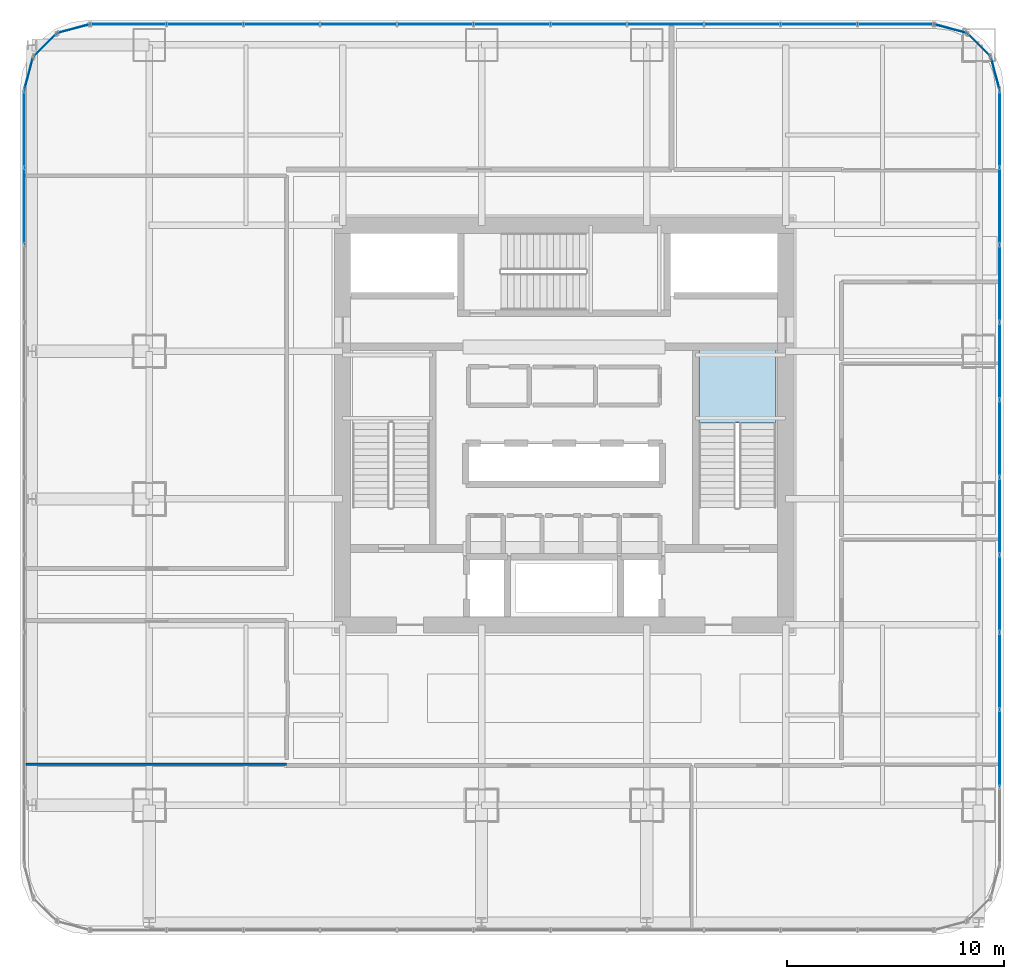
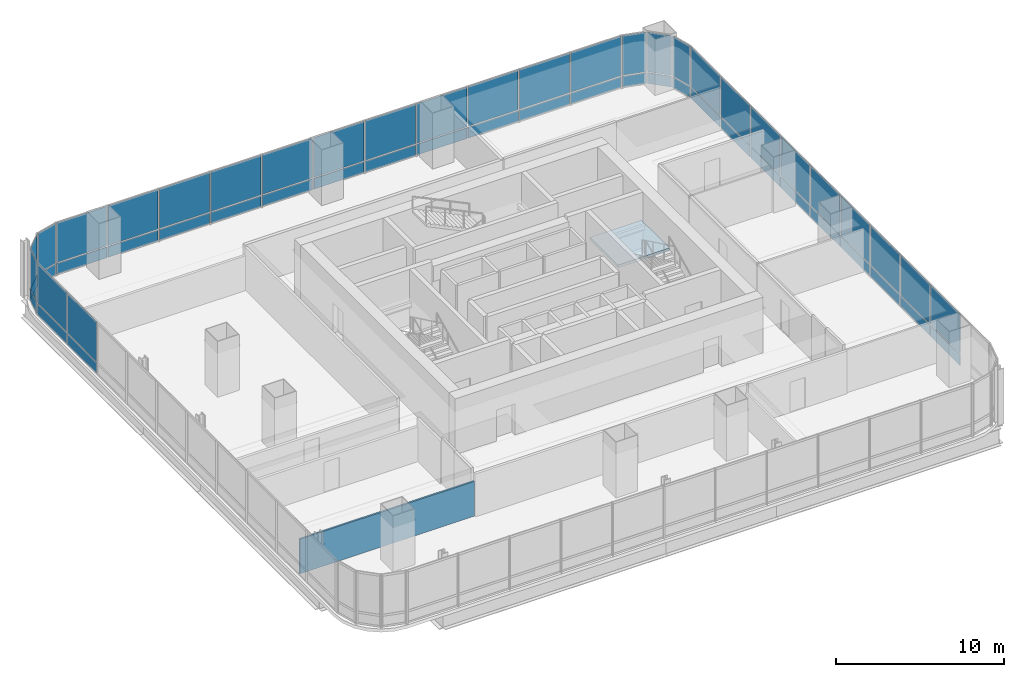
# One storey, part 27 of 35: 56 plates, 1 slab, 1 wall, 10 elements without a shape of their own.
"""IFC4 building model written with IfcOpenShell, lengths in metres."""

from ifc_helpers import new_model, si_unit, direction, frame, frame_2d, origin, origin_2d, place, context, subcontext, project, spatial, polyline, rectangle, outline, extrude, material, layer, layer_set, type_object, element, aggregate, save


model = new_model("IFC4")

# Units and contexts
model_context = context("Model", 3, precision=1e-05, world=origin(), true_north=direction((0.0, 1.0)))
body_context = subcontext(model_context, "Body", "Model", "MODEL_VIEW")
ifc_project = project(units=[si_unit("LENGTHUNIT", "METRE"), si_unit("AREAUNIT", "SQUARE_METRE"), si_unit("VOLUMEUNIT", "CUBIC_METRE"), si_unit("PLANEANGLEUNIT", "RADIAN"), si_unit("MASSUNIT", "GRAM", prefix="KILO")], contexts=[model_context])

# Site, building, storey
site_placement = place(None, origin())
site = spatial("IfcSite", under=ifc_project, at=site_placement, CompositionType="ELEMENT")
building_placement = place(site_placement, origin())
building = spatial("IfcBuilding", under=site, at=building_placement, Name="Punatoya Terracotta Tower", CompositionType="ELEMENT")
storey_placement = place(building_placement, frame((0.0, 0.0, 52.5)))
storey = spatial("IfcBuildingStorey", under=building, at=storey_placement, Name="L11", CompositionType="ELEMENT", Elevation=52.5)

# Curtain wall, plates
ifc_material_1 = material(Name="Aluminium 6063-T6 + Double Low-E Glass", Category="aluminium")
curtain_wall_type = type_object("IfcCurtainWallType", Name="CW-M1", PredefinedType="NOTDEFINED", material=ifc_material_1)
curtain_wall_1_placement = place(storey_placement, origin())
curtain_wall_1 = element("IfcCurtainWall", 1, at=curtain_wall_1_placement, inside=storey, type_object=curtain_wall_type, Name="L11 Curtain Wall CW-L11-E05-1", PredefinedType="NOTDEFINED")
ifc_material_2 = material(Name="Double Low-E Clear Vision Glass", Category="glass")
ifc_layer_1 = layer(ifc_material_2, 0.028076171875)
ifc_layer_set_1 = layer_set([ifc_layer_1], Name="Double Low-E Clear Vision Glass")
plate_type_1 = type_object("IfcPlateType", Name="PLT-GLZ-28", PredefinedType="CURTAIN_PANEL", material=ifc_layer_set_1)
plate_1_placement = place(storey_placement, frame((20.050048828125, -14.8857421875, 0.89013671875), z_axis=(0.0, 0.0, 1.0), x_axis=(0.0, 1.0, 0.0)))
plate_1 = element("IfcPlate", 2, at=plate_1_placement, type_object=plate_type_1, Name="CW-L11-E05-1 Vision Glass Panel 2", PredefinedType="CURTAIN_PANEL", context=body_context, shape_type="SweptSolid", body=[
    extrude(rectangle(XDim=3.482421875, YDim=0.028076171875, at=origin_2d()), origin(), (0.0, 0.0, 1.0), 2.8798828125),
])
plate_2_placement = place(storey_placement, frame((20.050048828125, -11.318359375, 0.89013671875), z_axis=(0.0, 0.0, 1.0), x_axis=(0.0, 1.0, 0.0)))
plate_2 = element("IfcPlate", 3, at=plate_2_placement, type_object=plate_type_1, Name="CW-L11-E05-1 Vision Glass Panel 3", PredefinedType="CURTAIN_PANEL", context=body_context, shape_type="SweptSolid", body=[
    extrude(rectangle(XDim=3.482421875, YDim=0.028076171875, at=origin_2d()), origin(), (0.0, 0.0, 1.0), 2.8798828125),
])
plate_3_placement = place(storey_placement, frame((20.050048828125, -7.751220703125, 0.89013671875), z_axis=(0.0, 0.0, 1.0), x_axis=(0.0, 1.0, 0.0)))
plate_3 = element("IfcPlate", 4, at=plate_3_placement, type_object=plate_type_1, Name="CW-L11-E05-1 Vision Glass Panel 4", PredefinedType="CURTAIN_PANEL", context=body_context, shape_type="SweptSolid", body=[
    extrude(rectangle(XDim=3.482421875, YDim=0.028076171875, at=origin_2d()), origin(), (0.0, 0.0, 1.0), 2.8798828125),
])
plate_4_placement = place(storey_placement, frame((20.050048828125, -4.18359375, 0.89013671875), z_axis=(0.0, 0.0, 1.0), x_axis=(0.0, 1.0, 0.0)))
plate_4 = element("IfcPlate", 5, at=plate_4_placement, type_object=plate_type_1, Name="CW-L11-E05-1 Vision Glass Panel 5", PredefinedType="CURTAIN_PANEL", context=body_context, shape_type="SweptSolid", body=[
    extrude(rectangle(XDim=3.482421875, YDim=0.028076171875, at=origin_2d()), origin(), (0.0, 0.0, 1.0), 2.8798828125),
])
plate_5_placement = place(storey_placement, frame((20.050048828125, -0.6162109375, 0.89013671875), z_axis=(0.0, 0.0, 1.0), x_axis=(0.0, 1.0, 0.0)))
plate_5 = element("IfcPlate", 6, at=plate_5_placement, type_object=plate_type_1, Name="CW-L11-E05-1 Vision Glass Panel 6", PredefinedType="CURTAIN_PANEL", context=body_context, shape_type="SweptSolid", body=[
    extrude(rectangle(XDim=3.482421875, YDim=0.028076171875, at=origin_2d()), origin(), (0.0, 0.0, 1.0), 2.8798828125),
])
plate_6_placement = place(storey_placement, frame((20.050048828125, 2.951171875, 0.89013671875), z_axis=(0.0, 0.0, 1.0), x_axis=(0.0, 1.0, 0.0)))
plate_6 = element("IfcPlate", 7, at=plate_6_placement, type_object=plate_type_1, Name="CW-L11-E05-1 Vision Glass Panel 7", PredefinedType="CURTAIN_PANEL", context=body_context, shape_type="SweptSolid", body=[
    extrude(rectangle(XDim=3.482421875, YDim=0.028076171875, at=origin_2d()), origin(), (0.0, 0.0, 1.0), 2.8798828125),
])
plate_7_placement = place(storey_placement, frame((20.050048828125, 6.518310546875, 0.89013671875), z_axis=(0.0, 0.0, 1.0), x_axis=(0.0, 1.0, 0.0)))
plate_7 = element("IfcPlate", 8, at=plate_7_placement, type_object=plate_type_1, Name="CW-L11-E05-1 Vision Glass Panel 8", PredefinedType="CURTAIN_PANEL", context=body_context, shape_type="SweptSolid", body=[
    extrude(rectangle(XDim=3.482421875, YDim=0.028076171875, at=origin_2d()), origin(), (0.0, 0.0, 1.0), 2.8798828125),
])
plate_8_placement = place(storey_placement, frame((20.050048828125, 10.085693359375, 0.89013671875), z_axis=(0.0, 0.0, 1.0), x_axis=(0.0, 1.0, 0.0)))
plate_8 = element("IfcPlate", 9, at=plate_8_placement, type_object=plate_type_1, Name="CW-L11-E05-1 Vision Glass Panel 9", PredefinedType="CURTAIN_PANEL", context=body_context, shape_type="SweptSolid", body=[
    extrude(rectangle(XDim=3.482421875, YDim=0.028076171875, at=origin_2d()), origin(), (0.0, 0.0, 1.0), 2.8798828125),
])
plate_9_placement = place(storey_placement, frame((20.050048828125, 13.6533203125, 0.89013671875), z_axis=(0.0, 0.0, 1.0), x_axis=(0.0, 1.0, 0.0)))
plate_9 = element("IfcPlate", 10, at=plate_9_placement, type_object=plate_type_1, Name="CW-L11-E05-1 Vision Glass Panel 10", PredefinedType="CURTAIN_PANEL", context=body_context, shape_type="SweptSolid", body=[
    extrude(rectangle(XDim=3.482421875, YDim=0.028076171875, at=origin_2d()), origin(), (0.0, 0.0, 1.0), 2.8798828125),
])

# Curtain wall, plate
curtain_wall_2_placement = place(storey_placement, origin())
curtain_wall_2 = element("IfcCurtainWall", 11, at=curtain_wall_2_placement, inside=storey, type_object=curtain_wall_type, Name="L11 Curtain Wall CW-L11-CRN06", PredefinedType="NOTDEFINED")
plate_10_placement = place(storey_placement, frame((19.848388671875, 16.193115234375, 0.89013671875), z_axis=(0.0, 0.0, 1.0), x_axis=(-0.257741620719, 0.966213877436, 0.0)))
plate_10 = element("IfcPlate", 12, at=plate_10_placement, type_object=plate_type_1, Name="CW-L11-CRN06 Vision Glass Panel 1", PredefinedType="CURTAIN_PANEL", context=body_context, shape_type="SweptSolid", body=[
    extrude(rectangle(XDim=1.47998046875, YDim=0.028076171875, at=origin_2d()), origin(), (0.0, 0.0, 1.0), 2.8798828125),
])

curtain_wall_3_placement = place(storey_placement, origin())
curtain_wall_3 = element("IfcCurtainWall", 13, at=curtain_wall_3_placement, inside=storey, type_object=curtain_wall_type, Name="L11 Curtain Wall CW-L11-CRN07", PredefinedType="NOTDEFINED")
plate_11_placement = place(storey_placement, frame((19.097900390625, 17.497802734375, 0.89013671875), z_axis=(0.0, 0.0, 1.0), x_axis=(-0.707106781187, 0.707106781187, 0.0)))
plate_11 = element("IfcPlate", 14, at=plate_11_placement, type_object=plate_type_1, Name="CW-L11-CRN07 Vision Glass Panel 1", PredefinedType="CURTAIN_PANEL", context=body_context, shape_type="SweptSolid", body=[
    extrude(rectangle(XDim=1.467041015625, YDim=0.028076171875, at=origin_2d()), origin(), (0.0, 0.0, 1.0), 2.8798828125),
])

curtain_wall_4_placement = place(storey_placement, origin())
curtain_wall_4 = element("IfcCurtainWall", 15, at=curtain_wall_4_placement, inside=storey, type_object=curtain_wall_type, Name="L11 Curtain Wall CW-L11-CRN08", PredefinedType="NOTDEFINED")
plate_12_placement = place(storey_placement, frame((17.79296875, 18.248291015625, 0.89013671875), z_axis=(0.0, 0.0, 1.0), x_axis=(-0.966213877436, 0.257741620719, 0.0)))
plate_12 = element("IfcPlate", 16, at=plate_12_placement, type_object=plate_type_1, Name="CW-L11-CRN08 Vision Glass Panel 1", PredefinedType="CURTAIN_PANEL", context=body_context, shape_type="SweptSolid", body=[
    extrude(rectangle(XDim=1.47998046875, YDim=0.028076171875, at=origin_2d()), origin(), (0.0, 0.0, 1.0), 2.8798828125),
])

# Curtain wall, plates
curtain_wall_5_placement = place(storey_placement, origin())
curtain_wall_5 = element("IfcCurtainWall", 17, at=curtain_wall_5_placement, inside=storey, type_object=curtain_wall_type, Name="L11 Curtain Wall CW-L11-N09-1", PredefinedType="NOTDEFINED")
plate_13_placement = place(storey_placement, frame((15.27001953125, 18.449951171875, 0.89013671875), z_axis=(0.0, 0.0, 1.0), x_axis=(-1.0, 0.0, 0.0)))
plate_13 = element("IfcPlate", 18, at=plate_13_placement, type_object=plate_type_1, Name="CW-L11-N09-1 Vision Glass Panel 1", PredefinedType="CURTAIN_PANEL", context=body_context, shape_type="SweptSolid", body=[
    extrude(rectangle(XDim=3.448974609375, YDim=0.028076171875, at=origin_2d()), origin(), (0.0, 0.0, 1.0), 2.8798828125),
])
plate_14_placement = place(storey_placement, frame((11.73583984375, 18.449951171875, 0.89013671875), z_axis=(0.0, 0.0, 1.0), x_axis=(-1.0, 0.0, 0.0)))
plate_14 = element("IfcPlate", 19, at=plate_14_placement, type_object=plate_type_1, Name="CW-L11-N09-1 Vision Glass Panel 2", PredefinedType="CURTAIN_PANEL", context=body_context, shape_type="SweptSolid", body=[
    extrude(rectangle(XDim=3.448974609375, YDim=0.028076171875, at=origin_2d()), origin(), (0.0, 0.0, 1.0), 2.8798828125),
])
plate_15_placement = place(storey_placement, frame((8.201904296875, 18.449951171875, 0.89013671875), z_axis=(0.0, 0.0, 1.0), x_axis=(-1.0, 0.0, 0.0)))
plate_15 = element("IfcPlate", 20, at=plate_15_placement, type_object=plate_type_1, Name="CW-L11-N09-1 Vision Glass Panel 3", PredefinedType="CURTAIN_PANEL", context=body_context, shape_type="SweptSolid", body=[
    extrude(rectangle(XDim=3.448974609375, YDim=0.028076171875, at=origin_2d()), origin(), (0.0, 0.0, 1.0), 2.8798828125),
])
plate_16_placement = place(storey_placement, frame((4.66796875, 18.449951171875, 0.89013671875), z_axis=(0.0, 0.0, 1.0), x_axis=(-1.0, 0.0, 0.0)))
plate_16 = element("IfcPlate", 21, at=plate_16_placement, type_object=plate_type_1, Name="CW-L11-N09-1 Vision Glass Panel 4", PredefinedType="CURTAIN_PANEL", context=body_context, shape_type="SweptSolid", body=[
    extrude(rectangle(XDim=3.448974609375, YDim=0.028076171875, at=origin_2d()), origin(), (0.0, 0.0, 1.0), 2.8798828125),
])
plate_17_placement = place(storey_placement, frame((1.134033203125, 18.449951171875, 0.89013671875), z_axis=(0.0, 0.0, 1.0), x_axis=(-1.0, 0.0, 0.0)))
plate_17 = element("IfcPlate", 22, at=plate_17_placement, type_object=plate_type_1, Name="CW-L11-N09-1 Vision Glass Panel 5", PredefinedType="CURTAIN_PANEL", context=body_context, shape_type="SweptSolid", body=[
    extrude(rectangle(XDim=3.448974609375, YDim=0.028076171875, at=origin_2d()), origin(), (0.0, 0.0, 1.0), 2.8798828125),
])
plate_18_placement = place(storey_placement, frame((-2.39990234375, 18.449951171875, 0.89013671875), z_axis=(0.0, 0.0, 1.0), x_axis=(-1.0, 0.0, 0.0)))
plate_18 = element("IfcPlate", 23, at=plate_18_placement, type_object=plate_type_1, Name="CW-L11-N09-1 Vision Glass Panel 6", PredefinedType="CURTAIN_PANEL", context=body_context, shape_type="SweptSolid", body=[
    extrude(rectangle(XDim=3.448974609375, YDim=0.028076171875, at=origin_2d()), origin(), (0.0, 0.0, 1.0), 2.8798828125),
])
plate_19_placement = place(storey_placement, frame((-5.93408203125, 18.449951171875, 0.89013671875), z_axis=(0.0, 0.0, 1.0), x_axis=(-1.0, 0.0, 0.0)))
plate_19 = element("IfcPlate", 24, at=plate_19_placement, type_object=plate_type_1, Name="CW-L11-N09-1 Vision Glass Panel 7", PredefinedType="CURTAIN_PANEL", context=body_context, shape_type="SweptSolid", body=[
    extrude(rectangle(XDim=3.448974609375, YDim=0.028076171875, at=origin_2d()), origin(), (0.0, 0.0, 1.0), 2.8798828125),
])
plate_20_placement = place(storey_placement, frame((-9.468017578125, 18.449951171875, 0.89013671875), z_axis=(0.0, 0.0, 1.0), x_axis=(-1.0, 0.0, 0.0)))
plate_20 = element("IfcPlate", 25, at=plate_20_placement, type_object=plate_type_1, Name="CW-L11-N09-1 Vision Glass Panel 8", PredefinedType="CURTAIN_PANEL", context=body_context, shape_type="SweptSolid", body=[
    extrude(rectangle(XDim=3.448974609375, YDim=0.028076171875, at=origin_2d()), origin(), (0.0, 0.0, 1.0), 2.8798828125),
])
plate_21_placement = place(storey_placement, frame((-13.001953125, 18.449951171875, 0.89013671875), z_axis=(0.0, 0.0, 1.0), x_axis=(-1.0, 0.0, 0.0)))
plate_21 = element("IfcPlate", 26, at=plate_21_placement, type_object=plate_type_1, Name="CW-L11-N09-1 Vision Glass Panel 9", PredefinedType="CURTAIN_PANEL", context=body_context, shape_type="SweptSolid", body=[
    extrude(rectangle(XDim=3.448974609375, YDim=0.028076171875, at=origin_2d()), origin(), (0.0, 0.0, 1.0), 2.8798828125),
])
plate_22_placement = place(storey_placement, frame((-16.535888671875, 18.449951171875, 0.89013671875), z_axis=(0.0, 0.0, 1.0), x_axis=(-1.0, 0.0, 0.0)))
plate_22 = element("IfcPlate", 27, at=plate_22_placement, type_object=plate_type_1, Name="CW-L11-N09-1 Vision Glass Panel 10", PredefinedType="CURTAIN_PANEL", context=body_context, shape_type="SweptSolid", body=[
    extrude(rectangle(XDim=3.448974609375, YDim=0.028076171875, at=origin_2d()), origin(), (0.0, 0.0, 1.0), 2.8798828125),
])
plate_23_placement = place(storey_placement, frame((-20.06982421875, 18.449951171875, 0.89013671875), z_axis=(0.0, 0.0, 1.0), x_axis=(-1.0, 0.0, 0.0)))
plate_23 = element("IfcPlate", 28, at=plate_23_placement, type_object=plate_type_1, Name="CW-L11-N09-1 Vision Glass Panel 11", PredefinedType="CURTAIN_PANEL", context=body_context, shape_type="SweptSolid", body=[
    extrude(rectangle(XDim=3.448974609375, YDim=0.028076171875, at=origin_2d()), origin(), (0.0, 0.0, 1.0), 2.8798828125),
])

# Curtain wall, plate
curtain_wall_6_placement = place(storey_placement, origin())
curtain_wall_6 = element("IfcCurtainWall", 29, at=curtain_wall_6_placement, inside=storey, type_object=curtain_wall_type, Name="L11 Curtain Wall CW-L11-CRN10", PredefinedType="NOTDEFINED")
plate_24_placement = place(storey_placement, frame((-22.593017578125, 18.248291015625, 0.89013671875), z_axis=(0.0, 0.0, 1.0), x_axis=(-0.966213877436, -0.257741620719, 0.0)))
plate_24 = element("IfcPlate", 30, at=plate_24_placement, type_object=plate_type_1, Name="CW-L11-CRN10 Vision Glass Panel 1", PredefinedType="CURTAIN_PANEL", context=body_context, shape_type="SweptSolid", body=[
    extrude(rectangle(XDim=1.47998046875, YDim=0.028076171875, at=origin_2d()), origin(), (0.0, 0.0, 1.0), 2.8798828125),
])

curtain_wall_7_placement = place(storey_placement, origin())
curtain_wall_7 = element("IfcCurtainWall", 31, at=curtain_wall_7_placement, inside=storey, type_object=curtain_wall_type, Name="L11 Curtain Wall CW-L11-CRN11", PredefinedType="NOTDEFINED")
plate_25_placement = place(storey_placement, frame((-23.89794921875, 17.497802734375, 0.89013671875), z_axis=(0.0, 0.0, 1.0), x_axis=(-0.707106781187, -0.707106781187, 0.0)))
plate_25 = element("IfcPlate", 32, at=plate_25_placement, type_object=plate_type_1, Name="CW-L11-CRN11 Vision Glass Panel 1", PredefinedType="CURTAIN_PANEL", context=body_context, shape_type="SweptSolid", body=[
    extrude(rectangle(XDim=1.467041015625, YDim=0.028076171875, at=origin_2d()), origin(), (0.0, 0.0, 1.0), 2.8798828125),
])

curtain_wall_8_placement = place(storey_placement, origin())
curtain_wall_8 = element("IfcCurtainWall", 33, at=curtain_wall_8_placement, inside=storey, type_object=curtain_wall_type, Name="L11 Curtain Wall CW-L11-CRN12", PredefinedType="NOTDEFINED")
plate_26_placement = place(storey_placement, frame((-24.648193359375, 16.193115234375, 0.89013671875), z_axis=(0.0, 0.0, 1.0), x_axis=(-0.257741620719, -0.966213877436, 0.0)))
plate_26 = element("IfcPlate", 34, at=plate_26_placement, type_object=plate_type_1, Name="CW-L11-CRN12 Vision Glass Panel 1", PredefinedType="CURTAIN_PANEL", context=body_context, shape_type="SweptSolid", body=[
    extrude(rectangle(XDim=1.47998046875, YDim=0.028076171875, at=origin_2d()), origin(), (0.0, 0.0, 1.0), 2.8798828125),
])

# Curtain wall, plates
curtain_wall_9_placement = place(storey_placement, origin())
curtain_wall_9 = element("IfcCurtainWall", 35, at=curtain_wall_9_placement, inside=storey, type_object=curtain_wall_type, Name="L11 Curtain Wall CW-L11-W13-1", PredefinedType="NOTDEFINED")
plate_27_placement = place(storey_placement, frame((-24.85009765625, 13.6533203125, 0.89013671875), z_axis=(0.0, 0.0, 1.0), x_axis=(0.0, -1.0, 0.0)))
plate_27 = element("IfcPlate", 36, at=plate_27_placement, type_object=plate_type_1, Name="CW-L11-W13-1 Vision Glass Panel 1", PredefinedType="CURTAIN_PANEL", context=body_context, shape_type="SweptSolid", body=[
    extrude(rectangle(XDim=3.482421875, YDim=0.028076171875, at=origin_2d()), origin(), (0.0, 0.0, 1.0), 2.8798828125),
])
plate_28_placement = place(storey_placement, frame((-24.85009765625, 10.085693359375, 0.89013671875), z_axis=(0.0, 0.0, 1.0), x_axis=(0.0, -1.0, 0.0)))
plate_28 = element("IfcPlate", 37, at=plate_28_placement, type_object=plate_type_1, Name="CW-L11-W13-1 Vision Glass Panel 2", PredefinedType="CURTAIN_PANEL", context=body_context, shape_type="SweptSolid", body=[
    extrude(rectangle(XDim=3.482421875, YDim=0.028076171875, at=origin_2d()), origin(), (0.0, 0.0, 1.0), 2.8798828125),
])

# Plate
ifc_material_3 = material(Name="Insulated Terracotta-Backed Spandrel Panel", Category="masonry")
ifc_layer_2 = layer(ifc_material_3, 0.044921875)
ifc_layer_set_2 = layer_set([ifc_layer_2], Name="Insulated Terracotta-Backed Spandrel Panel")
plate_type_2 = type_object("IfcPlateType", Name="PLT-SPN-45", PredefinedType="CURTAIN_PANEL", material=ifc_layer_set_2)
plate_29_placement = place(storey_placement, frame((20.050048828125, -14.8857421875, 0.0400390625), z_axis=(0.0, 0.0, 1.0), x_axis=(0.0, 1.0, 0.0)))
plate_29 = element("IfcPlate", 38, at=plate_29_placement, type_object=plate_type_2, Name="CW-L11-E05-1 Terracotta Spandrel Panel 2", PredefinedType="CURTAIN_PANEL", context=body_context, shape_type="SweptSolid", body=[
    extrude(rectangle(XDim=3.482421875, YDim=0.044921875, at=origin_2d()), origin(), (0.0, 0.0, 1.0), 0.77490234375),
])

plate_30_placement = place(storey_placement, frame((20.050048828125, -11.318359375, 0.0400390625), z_axis=(0.0, 0.0, 1.0), x_axis=(0.0, 1.0, 0.0)))
plate_30 = element("IfcPlate", 39, at=plate_30_placement, type_object=plate_type_2, Name="CW-L11-E05-1 Terracotta Spandrel Panel 3", PredefinedType="CURTAIN_PANEL", context=body_context, shape_type="SweptSolid", body=[
    extrude(rectangle(XDim=3.482421875, YDim=0.044921875, at=origin_2d()), origin(), (0.0, 0.0, 1.0), 0.77490234375),
])

plate_31_placement = place(storey_placement, frame((20.050048828125, -7.751220703125, 0.0400390625), z_axis=(0.0, 0.0, 1.0), x_axis=(0.0, 1.0, 0.0)))
plate_31 = element("IfcPlate", 40, at=plate_31_placement, type_object=plate_type_2, Name="CW-L11-E05-1 Terracotta Spandrel Panel 4", PredefinedType="CURTAIN_PANEL", context=body_context, shape_type="SweptSolid", body=[
    extrude(rectangle(XDim=3.482421875, YDim=0.044921875, at=origin_2d()), origin(), (0.0, 0.0, 1.0), 0.77490234375),
])

plate_32_placement = place(storey_placement, frame((20.050048828125, -4.18359375, 0.0400390625), z_axis=(0.0, 0.0, 1.0), x_axis=(0.0, 1.0, 0.0)))
plate_32 = element("IfcPlate", 41, at=plate_32_placement, type_object=plate_type_2, Name="CW-L11-E05-1 Terracotta Spandrel Panel 5", PredefinedType="CURTAIN_PANEL", context=body_context, shape_type="SweptSolid", body=[
    extrude(rectangle(XDim=3.482421875, YDim=0.044921875, at=origin_2d()), origin(), (0.0, 0.0, 1.0), 0.77490234375),
])

plate_33_placement = place(storey_placement, frame((20.050048828125, -0.6162109375, 0.0400390625), z_axis=(0.0, 0.0, 1.0), x_axis=(0.0, 1.0, 0.0)))
plate_33 = element("IfcPlate", 42, at=plate_33_placement, type_object=plate_type_2, Name="CW-L11-E05-1 Terracotta Spandrel Panel 6", PredefinedType="CURTAIN_PANEL", context=body_context, shape_type="SweptSolid", body=[
    extrude(rectangle(XDim=3.482421875, YDim=0.044921875, at=origin_2d()), origin(), (0.0, 0.0, 1.0), 0.77490234375),
])

plate_34_placement = place(storey_placement, frame((20.050048828125, 2.951171875, 0.0400390625), z_axis=(0.0, 0.0, 1.0), x_axis=(0.0, 1.0, 0.0)))
plate_34 = element("IfcPlate", 43, at=plate_34_placement, type_object=plate_type_2, Name="CW-L11-E05-1 Terracotta Spandrel Panel 7", PredefinedType="CURTAIN_PANEL", context=body_context, shape_type="SweptSolid", body=[
    extrude(rectangle(XDim=3.482421875, YDim=0.044921875, at=origin_2d()), origin(), (0.0, 0.0, 1.0), 0.77490234375),
])

plate_35_placement = place(storey_placement, frame((20.050048828125, 6.518310546875, 0.0400390625), z_axis=(0.0, 0.0, 1.0), x_axis=(0.0, 1.0, 0.0)))
plate_35 = element("IfcPlate", 44, at=plate_35_placement, type_object=plate_type_2, Name="CW-L11-E05-1 Terracotta Spandrel Panel 8", PredefinedType="CURTAIN_PANEL", context=body_context, shape_type="SweptSolid", body=[
    extrude(rectangle(XDim=3.482421875, YDim=0.044921875, at=origin_2d()), origin(), (0.0, 0.0, 1.0), 0.77490234375),
])

plate_36_placement = place(storey_placement, frame((20.050048828125, 10.085693359375, 0.0400390625), z_axis=(0.0, 0.0, 1.0), x_axis=(0.0, 1.0, 0.0)))
plate_36 = element("IfcPlate", 45, at=plate_36_placement, type_object=plate_type_2, Name="CW-L11-E05-1 Terracotta Spandrel Panel 9", PredefinedType="CURTAIN_PANEL", context=body_context, shape_type="SweptSolid", body=[
    extrude(rectangle(XDim=3.482421875, YDim=0.044921875, at=origin_2d()), origin(), (0.0, 0.0, 1.0), 0.77490234375),
])

plate_37_placement = place(storey_placement, frame((20.050048828125, 13.6533203125, 0.0400390625), z_axis=(0.0, 0.0, 1.0), x_axis=(0.0, 1.0, 0.0)))
plate_37 = element("IfcPlate", 46, at=plate_37_placement, type_object=plate_type_2, Name="CW-L11-E05-1 Terracotta Spandrel Panel 10", PredefinedType="CURTAIN_PANEL", context=body_context, shape_type="SweptSolid", body=[
    extrude(rectangle(XDim=3.482421875, YDim=0.044921875, at=origin_2d()), origin(), (0.0, 0.0, 1.0), 0.77490234375),
])

aggregate(curtain_wall_1, [plate_29, plate_1, plate_30, plate_2, plate_31, plate_3, plate_32, plate_4, plate_33, plate_5, plate_34, plate_6, plate_35, plate_7, plate_36, plate_8, plate_37, plate_9])

plate_38_placement = place(storey_placement, frame((19.848388671875, 16.193115234375, 0.0400390625), z_axis=(0.0, 0.0, 1.0), x_axis=(-0.257741620719, 0.966213877436, 0.0)))
plate_38 = element("IfcPlate", 47, at=plate_38_placement, type_object=plate_type_2, Name="CW-L11-CRN06 Terracotta Spandrel Panel 1", PredefinedType="CURTAIN_PANEL", context=body_context, shape_type="SweptSolid", body=[
    extrude(rectangle(XDim=1.47998046875, YDim=0.044921875, at=origin_2d()), origin(), (0.0, 0.0, 1.0), 0.77490234375),
])

aggregate(curtain_wall_2, [plate_38, plate_10])

plate_39_placement = place(storey_placement, frame((19.097900390625, 17.497802734375, 0.0400390625), z_axis=(0.0, 0.0, 1.0), x_axis=(-0.707106781187, 0.707106781187, 0.0)))
plate_39 = element("IfcPlate", 48, at=plate_39_placement, type_object=plate_type_2, Name="CW-L11-CRN07 Terracotta Spandrel Panel 1", PredefinedType="CURTAIN_PANEL", context=body_context, shape_type="SweptSolid", body=[
    extrude(rectangle(XDim=1.467041015625, YDim=0.044921875, at=origin_2d()), origin(), (0.0, 0.0, 1.0), 0.77490234375),
])

aggregate(curtain_wall_3, [plate_39, plate_11])

plate_40_placement = place(storey_placement, frame((17.79296875, 18.248291015625, 0.0400390625), z_axis=(0.0, 0.0, 1.0), x_axis=(-0.966213877436, 0.257741620719, 0.0)))
plate_40 = element("IfcPlate", 49, at=plate_40_placement, type_object=plate_type_2, Name="CW-L11-CRN08 Terracotta Spandrel Panel 1", PredefinedType="CURTAIN_PANEL", context=body_context, shape_type="SweptSolid", body=[
    extrude(rectangle(XDim=1.47998046875, YDim=0.044921875, at=origin_2d()), origin(), (0.0, 0.0, 1.0), 0.77490234375),
])

aggregate(curtain_wall_4, [plate_40, plate_12])

plate_41_placement = place(storey_placement, frame((15.27001953125, 18.449951171875, 0.0400390625), z_axis=(0.0, 0.0, 1.0), x_axis=(-1.0, 0.0, 0.0)))
plate_41 = element("IfcPlate", 50, at=plate_41_placement, type_object=plate_type_2, Name="CW-L11-N09-1 Terracotta Spandrel Panel 1", PredefinedType="CURTAIN_PANEL", context=body_context, shape_type="SweptSolid", body=[
    extrude(rectangle(XDim=3.448974609375, YDim=0.044921875, at=origin_2d()), origin(), (0.0, 0.0, 1.0), 0.77490234375),
])

plate_42_placement = place(storey_placement, frame((11.73583984375, 18.449951171875, 0.0400390625), z_axis=(0.0, 0.0, 1.0), x_axis=(-1.0, 0.0, 0.0)))
plate_42 = element("IfcPlate", 51, at=plate_42_placement, type_object=plate_type_2, Name="CW-L11-N09-1 Terracotta Spandrel Panel 2", PredefinedType="CURTAIN_PANEL", context=body_context, shape_type="SweptSolid", body=[
    extrude(rectangle(XDim=3.448974609375, YDim=0.044921875, at=origin_2d()), origin(), (0.0, 0.0, 1.0), 0.77490234375),
])

plate_43_placement = place(storey_placement, frame((8.201904296875, 18.449951171875, 0.0400390625), z_axis=(0.0, 0.0, 1.0), x_axis=(-1.0, 0.0, 0.0)))
plate_43 = element("IfcPlate", 52, at=plate_43_placement, type_object=plate_type_2, Name="CW-L11-N09-1 Terracotta Spandrel Panel 3", PredefinedType="CURTAIN_PANEL", context=body_context, shape_type="SweptSolid", body=[
    extrude(rectangle(XDim=3.448974609375, YDim=0.044921875, at=origin_2d()), origin(), (0.0, 0.0, 1.0), 0.77490234375),
])

plate_44_placement = place(storey_placement, frame((4.66796875, 18.449951171875, 0.0400390625), z_axis=(0.0, 0.0, 1.0), x_axis=(-1.0, 0.0, 0.0)))
plate_44 = element("IfcPlate", 53, at=plate_44_placement, type_object=plate_type_2, Name="CW-L11-N09-1 Terracotta Spandrel Panel 4", PredefinedType="CURTAIN_PANEL", context=body_context, shape_type="SweptSolid", body=[
    extrude(rectangle(XDim=3.448974609375, YDim=0.044921875, at=origin_2d()), origin(), (0.0, 0.0, 1.0), 0.77490234375),
])

plate_45_placement = place(storey_placement, frame((1.134033203125, 18.449951171875, 0.0400390625), z_axis=(0.0, 0.0, 1.0), x_axis=(-1.0, 0.0, 0.0)))
plate_45 = element("IfcPlate", 54, at=plate_45_placement, type_object=plate_type_2, Name="CW-L11-N09-1 Terracotta Spandrel Panel 5", PredefinedType="CURTAIN_PANEL", context=body_context, shape_type="SweptSolid", body=[
    extrude(rectangle(XDim=3.448974609375, YDim=0.044921875, at=origin_2d()), origin(), (0.0, 0.0, 1.0), 0.77490234375),
])

plate_46_placement = place(storey_placement, frame((-2.39990234375, 18.449951171875, 0.0400390625), z_axis=(0.0, 0.0, 1.0), x_axis=(-1.0, 0.0, 0.0)))
plate_46 = element("IfcPlate", 55, at=plate_46_placement, type_object=plate_type_2, Name="CW-L11-N09-1 Terracotta Spandrel Panel 6", PredefinedType="CURTAIN_PANEL", context=body_context, shape_type="SweptSolid", body=[
    extrude(rectangle(XDim=3.448974609375, YDim=0.044921875, at=origin_2d()), origin(), (0.0, 0.0, 1.0), 0.77490234375),
])

plate_47_placement = place(storey_placement, frame((-5.93408203125, 18.449951171875, 0.0400390625), z_axis=(0.0, 0.0, 1.0), x_axis=(-1.0, 0.0, 0.0)))
plate_47 = element("IfcPlate", 56, at=plate_47_placement, type_object=plate_type_2, Name="CW-L11-N09-1 Terracotta Spandrel Panel 7", PredefinedType="CURTAIN_PANEL", context=body_context, shape_type="SweptSolid", body=[
    extrude(rectangle(XDim=3.448974609375, YDim=0.044921875, at=origin_2d()), origin(), (0.0, 0.0, 1.0), 0.77490234375),
])

plate_48_placement = place(storey_placement, frame((-9.468017578125, 18.449951171875, 0.0400390625), z_axis=(0.0, 0.0, 1.0), x_axis=(-1.0, 0.0, 0.0)))
plate_48 = element("IfcPlate", 57, at=plate_48_placement, type_object=plate_type_2, Name="CW-L11-N09-1 Terracotta Spandrel Panel 8", PredefinedType="CURTAIN_PANEL", context=body_context, shape_type="SweptSolid", body=[
    extrude(rectangle(XDim=3.448974609375, YDim=0.044921875, at=origin_2d()), origin(), (0.0, 0.0, 1.0), 0.77490234375),
])

plate_49_placement = place(storey_placement, frame((-13.001953125, 18.449951171875, 0.0400390625), z_axis=(0.0, 0.0, 1.0), x_axis=(-1.0, 0.0, 0.0)))
plate_49 = element("IfcPlate", 58, at=plate_49_placement, type_object=plate_type_2, Name="CW-L11-N09-1 Terracotta Spandrel Panel 9", PredefinedType="CURTAIN_PANEL", context=body_context, shape_type="SweptSolid", body=[
    extrude(rectangle(XDim=3.448974609375, YDim=0.044921875, at=origin_2d()), origin(), (0.0, 0.0, 1.0), 0.77490234375),
])

plate_50_placement = place(storey_placement, frame((-16.535888671875, 18.449951171875, 0.0400390625), z_axis=(0.0, 0.0, 1.0), x_axis=(-1.0, 0.0, 0.0)))
plate_50 = element("IfcPlate", 59, at=plate_50_placement, type_object=plate_type_2, Name="CW-L11-N09-1 Terracotta Spandrel Panel 10", PredefinedType="CURTAIN_PANEL", context=body_context, shape_type="SweptSolid", body=[
    extrude(rectangle(XDim=3.448974609375, YDim=0.044921875, at=origin_2d()), origin(), (0.0, 0.0, 1.0), 0.77490234375),
])

plate_51_placement = place(storey_placement, frame((-20.06982421875, 18.449951171875, 0.0400390625), z_axis=(0.0, 0.0, 1.0), x_axis=(-1.0, 0.0, 0.0)))
plate_51 = element("IfcPlate", 60, at=plate_51_placement, type_object=plate_type_2, Name="CW-L11-N09-1 Terracotta Spandrel Panel 11", PredefinedType="CURTAIN_PANEL", context=body_context, shape_type="SweptSolid", body=[
    extrude(rectangle(XDim=3.448974609375, YDim=0.044921875, at=origin_2d()), origin(), (0.0, 0.0, 1.0), 0.77490234375),
])

aggregate(curtain_wall_5, [plate_41, plate_13, plate_42, plate_14, plate_43, plate_15, plate_44, plate_16, plate_45, plate_17, plate_46, plate_18, plate_47, plate_19, plate_48, plate_20, plate_49, plate_21, plate_50, plate_22, plate_51, plate_23])

plate_52_placement = place(storey_placement, frame((-22.593017578125, 18.248291015625, 0.0400390625), z_axis=(0.0, 0.0, 1.0), x_axis=(-0.966213877436, -0.257741620719, 0.0)))
plate_52 = element("IfcPlate", 61, at=plate_52_placement, type_object=plate_type_2, Name="CW-L11-CRN10 Terracotta Spandrel Panel 1", PredefinedType="CURTAIN_PANEL", context=body_context, shape_type="SweptSolid", body=[
    extrude(rectangle(XDim=1.47998046875, YDim=0.044921875, at=origin_2d()), origin(), (0.0, 0.0, 1.0), 0.77490234375),
])

aggregate(curtain_wall_6, [plate_52, plate_24])

plate_53_placement = place(storey_placement, frame((-23.89794921875, 17.497802734375, 0.0400390625), z_axis=(0.0, 0.0, 1.0), x_axis=(-0.707106781187, -0.707106781187, 0.0)))
plate_53 = element("IfcPlate", 62, at=plate_53_placement, type_object=plate_type_2, Name="CW-L11-CRN11 Terracotta Spandrel Panel 1", PredefinedType="CURTAIN_PANEL", context=body_context, shape_type="SweptSolid", body=[
    extrude(rectangle(XDim=1.467041015625, YDim=0.044921875, at=origin_2d()), origin(), (0.0, 0.0, 1.0), 0.77490234375),
])

aggregate(curtain_wall_7, [plate_53, plate_25])

plate_54_placement = place(storey_placement, frame((-24.648193359375, 16.193115234375, 0.0400390625), z_axis=(0.0, 0.0, 1.0), x_axis=(-0.257741620719, -0.966213877436, 0.0)))
plate_54 = element("IfcPlate", 63, at=plate_54_placement, type_object=plate_type_2, Name="CW-L11-CRN12 Terracotta Spandrel Panel 1", PredefinedType="CURTAIN_PANEL", context=body_context, shape_type="SweptSolid", body=[
    extrude(rectangle(XDim=1.47998046875, YDim=0.044921875, at=origin_2d()), origin(), (0.0, 0.0, 1.0), 0.77490234375),
])

aggregate(curtain_wall_8, [plate_54, plate_26])

plate_55_placement = place(storey_placement, frame((-24.85009765625, 13.6533203125, 0.0400390625), z_axis=(0.0, 0.0, 1.0), x_axis=(0.0, -1.0, 0.0)))
plate_55 = element("IfcPlate", 64, at=plate_55_placement, type_object=plate_type_2, Name="CW-L11-W13-1 Terracotta Spandrel Panel 1", PredefinedType="CURTAIN_PANEL", context=body_context, shape_type="SweptSolid", body=[
    extrude(rectangle(XDim=3.482421875, YDim=0.044921875, at=origin_2d()), origin(), (0.0, 0.0, 1.0), 0.77490234375),
])

plate_56_placement = place(storey_placement, frame((-24.85009765625, 10.085693359375, 0.0400390625), z_axis=(0.0, 0.0, 1.0), x_axis=(0.0, -1.0, 0.0)))
plate_56 = element("IfcPlate", 65, at=plate_56_placement, type_object=plate_type_2, Name="CW-L11-W13-1 Terracotta Spandrel Panel 2", PredefinedType="CURTAIN_PANEL", context=body_context, shape_type="SweptSolid", body=[
    extrude(rectangle(XDim=3.482421875, YDim=0.044921875, at=origin_2d()), origin(), (0.0, 0.0, 1.0), 0.77490234375),
])

aggregate(curtain_wall_9, [plate_55, plate_27, plate_56, plate_28])

# Stair, slab
ifc_material_4 = material(Name="Concrete C40/50", Category="concrete")
stair_type = type_object("IfcStairType", Name="STR-LOB-1650", PredefinedType="HALF_TURN_STAIR", material=ifc_material_4)
stair_placement = place(storey_placement, origin())
stair = element("IfcStair", 66, at=stair_placement, inside=storey, type_object=stair_type, Name="L11 Protected Core Exit Stair ST-2", PredefinedType="HALF_TURN_STAIR")
ifc_layer_3 = layer(ifc_material_4, 0.179931640625)
ifc_layer_set_3 = layer_set([ifc_layer_3], Name="Concrete C40/50")
slab_type = type_object("IfcSlabType", Name="SLB-LND-180", PredefinedType="LANDING", material=ifc_layer_set_3)
slab_placement = place(storey_placement, frame((0.0, 0.0, 1.824951171875)))
slab = element("IfcSlab", 67, at=slab_placement, type_object=slab_type, Name="ST-2 landing 1", PredefinedType="LANDING", context=body_context, shape_type="SweptSolid", body=[
    extrude(outline(polyline([(9.75, 0.10009765625), (9.75, 3.449951171875), (6.199951171875, 3.449951171875), (6.199951171875, 0.10009765625), (9.75, 0.10009765625)])), origin(), (0.0, 0.0, 1.0), 0.199951171875),
])
aggregate(stair, [slab])

# Wall
ifc_material_5 = material(Name="Gypsum Partition + Steel Stud", Category="steel")
ifc_layer_4 = layer(ifc_material_5, 0.1201171875)
ifc_layer_set_4 = layer_set([ifc_layer_4], Name="Gypsum Partition + Steel Stud")
wall_type = type_object("IfcWallType", Name="WL-OFF-120", PredefinedType="PARTITIONING", material=ifc_layer_set_4)
wall_placement = place(storey_placement, frame((-24.77001953125, -15.610107421875, 0.0), z_axis=(0.0, 0.0, 1.0), x_axis=(1.0, 0.0, 0.0)))
element("IfcWall", 68, at=wall_placement, inside=storey, type_object=wall_type, Name="L11 Computational Simulation Laboratory Partition 22", PredefinedType="PARTITIONING", context=body_context, shape_type="SweptSolid", body=[
    extrude(rectangle(XDim=12.0, YDim=0.1201171875, at=frame_2d((6.0, 0.0))), origin(), (0.0, 0.0, 1.0), 2.52392578125),
])

save(model, "model.ifc")
